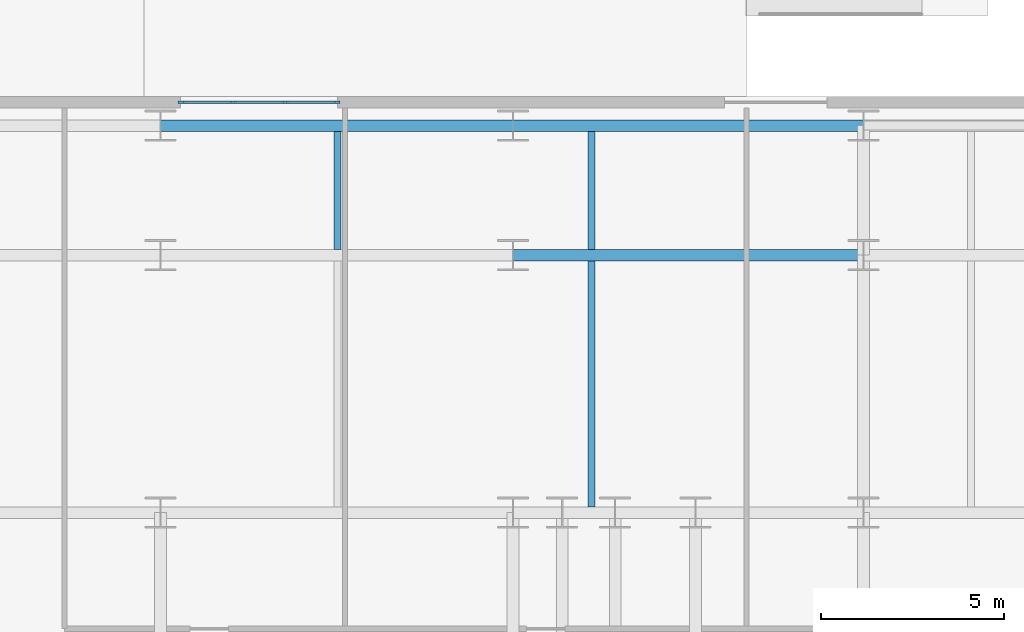
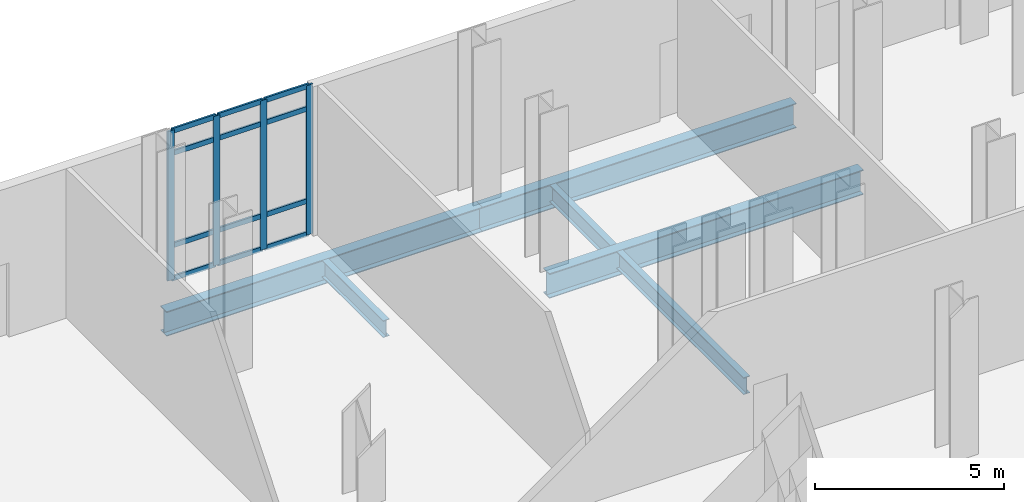
# One storey, part 8 of 21: 16 members, 6 beams, 1 element without a shape of its own.
"""IFC4 building model written with IfcOpenShell, lengths in metres."""

from ifc_helpers import new_model, si_unit, direction, frame, origin, origin_2d, place, context, subcontext, project, spatial, rectangle, i_section, extrude, material, layer, layer_set, material_profile, profile_set, type_object, element, aggregate, save


model = new_model("IFC4")

# Units and contexts
model_context = context("Model", 3, precision=1e-05, world=origin(), true_north=direction((0.0, 1.0)))
body_context = subcontext(model_context, "Body", "Model", "MODEL_VIEW")
ifc_project = project(units=[si_unit("LENGTHUNIT", "METRE"), si_unit("AREAUNIT", "SQUARE_METRE"), si_unit("VOLUMEUNIT", "CUBIC_METRE"), si_unit("PLANEANGLEUNIT", "RADIAN"), si_unit("MASSUNIT", "GRAM", prefix="KILO")], contexts=[model_context])

# Site, building, storey
site_placement = place(None, origin())
site = spatial("IfcSite", under=ifc_project, at=site_placement, CompositionType="ELEMENT")
building_placement = place(site_placement, origin())
building = spatial("IfcBuilding", under=site, at=building_placement, Name="Velakula Bourse", CompositionType="ELEMENT")
storey_placement = place(building_placement, origin())
storey = spatial("IfcBuildingStorey", under=building, at=storey_placement, Name="L00", CompositionType="ELEMENT", Elevation=0.0)

# Beams
ifc_material_1 = material(Name="Steel IS 2062 Grade 350 (E350)", Category="steel")
ifc_material_profile_1 = material_profile(ifc_material_1, i_section(OverallWidth=0.320068359375, OverallDepth=0.800048828125, WebThickness=0.01806640625, FlangeThickness=0.028076171875, at=origin_2d()), Name="Steel IS 2062 Grade 350 (E350)")
ifc_profile_set_1 = profile_set([ifc_material_profile_1], Name="Steel IS 2062 Grade 350 (E350)")
beam_type_1 = type_object("IfcBeamType", Name="BM-POD-800", PredefinedType="BEAM", material=ifc_profile_set_1)
beam_1_placement = place(storey_placement, frame((18.60009765625, 21.64990234375, -0.75), z_axis=(1.0, 0.0, 0.0), x_axis=(0.0, 1.0, 0.0)))
element("IfcBeam", 1, at=beam_1_placement, inside=storey, type_object=beam_type_1, Name="L00 Podium E-W Girder 53", PredefinedType="BEAM", context=body_context, shape_type="SweptSolid", body=[
    extrude(i_section(OverallWidth=0.320068359375, OverallDepth=0.800048828125, WebThickness=0.01806640625, FlangeThickness=0.028076171875, at=origin_2d()), origin(), (0.0, 0.0, 1.0), 9.599853515625),
])
beam_2_placement = place(storey_placement, frame((8.949951171875, 25.199951171875, -0.75), z_axis=(1.0, 0.0, 0.0), x_axis=(0.0, 1.0, 0.0)))
element("IfcBeam", 2, at=beam_2_placement, inside=storey, type_object=beam_type_1, Name="L00 Podium E-W Girder 61", PredefinedType="BEAM", context=body_context, shape_type="SweptSolid", body=[
    extrude(i_section(OverallWidth=0.320068359375, OverallDepth=0.800048828125, WebThickness=0.01806640625, FlangeThickness=0.028076171875, at=origin_2d()), origin(), (0.0, 0.0, 1.0), 9.650146484375),
])
beam_3_placement = place(storey_placement, frame((18.60009765625, 25.199951171875, -0.75), z_axis=(1.0, 0.0, 0.0), x_axis=(0.0, 1.0, 0.0)))
element("IfcBeam", 3, at=beam_3_placement, inside=storey, type_object=beam_type_1, Name="L00 Podium E-W Girder 62", PredefinedType="BEAM", context=body_context, shape_type="SweptSolid", body=[
    extrude(i_section(OverallWidth=0.320068359375, OverallDepth=0.800048828125, WebThickness=0.01806640625, FlangeThickness=0.028076171875, at=origin_2d()), origin(), (0.0, 0.0, 1.0), 9.599853515625),
])
ifc_material_profile_2 = material_profile(ifc_material_1, i_section(OverallWidth=0.18994140625, OverallDepth=0.550048828125, WebThickness=0.01123046875, FlangeThickness=0.019287109375, at=origin_2d()), Name="Steel IS 2062 Grade 350 (E350)")
ifc_profile_set_2 = profile_set([ifc_material_profile_2], Name="Steel IS 2062 Grade 350 (E350)")
beam_type_2 = type_object("IfcBeamType", Name="JST-POD-550", PredefinedType="JOIST", material=ifc_profile_set_2)
beam_4_placement = place(storey_placement, frame((13.800048828125, 21.81005859375, -0.625), z_axis=(0.0, 1.0, 0.0), x_axis=(-1.0, 0.0, 0.0)))
element("IfcBeam", 4, at=beam_4_placement, inside=storey, type_object=beam_type_2, Name="L00 Station Podium Floor Joist 24", PredefinedType="JOIST", context=body_context, shape_type="SweptSolid", body=[
    extrude(i_section(OverallWidth=0.18994140625, OverallDepth=0.550048828125, WebThickness=0.01123046875, FlangeThickness=0.019287109375, at=origin_2d()), origin(), (0.0, 0.0, 1.0), 3.22998046875),
])
beam_5_placement = place(storey_placement, frame((20.75, 14.760009765625, -0.625), z_axis=(0.0, 1.0, 0.0), x_axis=(-1.0, 0.0, 0.0)))
element("IfcBeam", 5, at=beam_5_placement, inside=storey, type_object=beam_type_2, Name="L00 Station Podium Floor Joist 27", PredefinedType="JOIST", context=body_context, shape_type="SweptSolid", body=[
    extrude(i_section(OverallWidth=0.18994140625, OverallDepth=0.550048828125, WebThickness=0.01123046875, FlangeThickness=0.019287109375, at=origin_2d()), origin(), (0.0, 0.0, 1.0), 6.72998046875),
])
beam_6_placement = place(storey_placement, frame((20.75, 21.81005859375, -0.625), z_axis=(0.0, 1.0, 0.0), x_axis=(-1.0, 0.0, 0.0)))
element("IfcBeam", 6, at=beam_6_placement, inside=storey, type_object=beam_type_2, Name="L00 Station Podium Floor Joist 28", PredefinedType="JOIST", context=body_context, shape_type="SweptSolid", body=[
    extrude(i_section(OverallWidth=0.18994140625, OverallDepth=0.550048828125, WebThickness=0.01123046875, FlangeThickness=0.019287109375, at=origin_2d()), origin(), (0.0, 0.0, 1.0), 3.22998046875),
])

# Curtain wall, members
ifc_material_2 = material(Name="Anodised bronze architectural aluminium", Category="aluminium")
ifc_layer = layer(ifc_material_2, 0.199951171875, Name="Anodised bronze architectural aluminium", Category="aluminium")
ifc_layer_set = layer_set([ifc_layer], Name="Anodised bronze architectural aluminium")
curtain_wall_type = type_object("IfcCurtainWallType", Name="CW-ST1", PredefinedType="NOTDEFINED", material=ifc_layer_set)
curtain_wall_placement = place(storey_placement, origin())
curtain_wall = element("IfcCurtainWall", 7, at=curtain_wall_placement, inside=storey, type_object=curtain_wall_type, Name="L00 North Station Galleria Curtain Wall 4", PredefinedType="NOTDEFINED")
ifc_material_profile_3 = material_profile(ifc_material_2, rectangle(XDim=0.06005859375, YDim=0.199951171875, at=origin_2d()), Name="Anodised bronze architectural aluminium")
ifc_profile_set_3 = profile_set([ifc_material_profile_3], Name="Anodised bronze architectural aluminium")
member_type_1 = type_object("IfcMemberType", Name="MUL-CW-ST1", PredefinedType="MULLION", material=ifc_profile_set_3)
member_1_placement = place(storey_placement, frame((9.530029296875, 25.840087890625, 0.0), z_axis=(0.0, 0.0, 1.0), x_axis=(0.0, 1.0, 0.0)))
member_1 = element("IfcMember", 8, at=member_1_placement, type_object=member_type_1, Name="CW-ST1 mullion 1", PredefinedType="MULLION", context=body_context, shape_type="SweptSolid", body=[
    extrude(rectangle(XDim=0.06005859375, YDim=0.199951171875, at=origin_2d()), origin(), (0.0, 0.0, 1.0), 4.830078125),
])
member_2_placement = place(storey_placement, frame((10.933349609375, 25.840087890625, 0.0), z_axis=(0.0, 0.0, 1.0), x_axis=(0.0, 1.0, 0.0)))
member_2 = element("IfcMember", 9, at=member_2_placement, type_object=member_type_1, Name="CW-ST1 mullion 2", PredefinedType="MULLION", context=body_context, shape_type="SweptSolid", body=[
    extrude(rectangle(XDim=0.06005859375, YDim=0.199951171875, at=origin_2d()), origin(), (0.0, 0.0, 1.0), 4.830078125),
])
member_3_placement = place(storey_placement, frame((12.36669921875, 25.840087890625, 0.0), z_axis=(0.0, 0.0, 1.0), x_axis=(0.0, 1.0, 0.0)))
member_3 = element("IfcMember", 10, at=member_3_placement, type_object=member_type_1, Name="CW-ST1 mullion 3", PredefinedType="MULLION", context=body_context, shape_type="SweptSolid", body=[
    extrude(rectangle(XDim=0.06005859375, YDim=0.199951171875, at=origin_2d()), origin(), (0.0, 0.0, 1.0), 4.830078125),
])
member_4_placement = place(storey_placement, frame((13.77001953125, 25.840087890625, 0.0), z_axis=(0.0, 0.0, 1.0), x_axis=(0.0, 1.0, 0.0)))
member_4 = element("IfcMember", 11, at=member_4_placement, type_object=member_type_1, Name="CW-ST1 mullion 4", PredefinedType="MULLION", context=body_context, shape_type="SweptSolid", body=[
    extrude(rectangle(XDim=0.06005859375, YDim=0.199951171875, at=origin_2d()), origin(), (0.0, 0.0, 1.0), 4.830078125),
])
ifc_material_profile_4 = material_profile(ifc_material_2, rectangle(XDim=0.06005859375, YDim=0.159912109375, at=origin_2d()), Name="Anodised bronze architectural aluminium")
ifc_profile_set_4 = profile_set([ifc_material_profile_4], Name="Anodised bronze architectural aluminium")
member_type_2 = type_object("IfcMemberType", Name="TRN-CW-ST1", PredefinedType="USERDEFINED", material=ifc_profile_set_4)
member_5_placement = place(storey_placement, frame((9.56005859375, 25.840087890625, 0.030029296875), z_axis=(1.0, 0.0, 0.0), x_axis=(0.0, 1.0, 0.0)))
member_5 = element("IfcMember", 12, at=member_5_placement, type_object=member_type_2, Name="CW-ST1 transom 1.1", ObjectType="TRANSOM", PredefinedType="USERDEFINED", context=body_context, shape_type="SweptSolid", body=[
    extrude(rectangle(XDim=0.06005859375, YDim=0.159912109375, at=origin_2d()), origin(), (0.0, 0.0, 1.0), 1.34326171875),
])
member_6_placement = place(storey_placement, frame((9.56005859375, 25.840087890625, 1.10009765625), z_axis=(1.0, 0.0, 0.0), x_axis=(0.0, 1.0, 0.0)))
member_6 = element("IfcMember", 13, at=member_6_placement, type_object=member_type_2, Name="CW-ST1 transom 1.2", ObjectType="TRANSOM", PredefinedType="USERDEFINED", context=body_context, shape_type="SweptSolid", body=[
    extrude(rectangle(XDim=0.06005859375, YDim=0.159912109375, at=origin_2d()), origin(), (0.0, 0.0, 1.0), 1.34326171875),
])
member_7_placement = place(storey_placement, frame((9.56005859375, 25.840087890625, 4.080078125), z_axis=(1.0, 0.0, 0.0), x_axis=(0.0, 1.0, 0.0)))
member_7 = element("IfcMember", 14, at=member_7_placement, type_object=member_type_2, Name="CW-ST1 transom 1.3", ObjectType="TRANSOM", PredefinedType="USERDEFINED", context=body_context, shape_type="SweptSolid", body=[
    extrude(rectangle(XDim=0.06005859375, YDim=0.159912109375, at=origin_2d()), origin(), (0.0, 0.0, 1.0), 1.34326171875),
])
member_8_placement = place(storey_placement, frame((9.56005859375, 25.840087890625, 4.800048828125), z_axis=(1.0, 0.0, 0.0), x_axis=(0.0, 1.0, 0.0)))
member_8 = element("IfcMember", 15, at=member_8_placement, type_object=member_type_2, Name="CW-ST1 transom 1.4", ObjectType="TRANSOM", PredefinedType="USERDEFINED", context=body_context, shape_type="SweptSolid", body=[
    extrude(rectangle(XDim=0.06005859375, YDim=0.159912109375, at=origin_2d()), origin(), (0.0, 0.0, 1.0), 1.34326171875),
])
member_9_placement = place(storey_placement, frame((10.96337890625, 25.840087890625, 0.030029296875), z_axis=(1.0, 0.0, 0.0), x_axis=(0.0, 1.0, 0.0)))
member_9 = element("IfcMember", 16, at=member_9_placement, type_object=member_type_2, Name="CW-ST1 transom 2.1", ObjectType="TRANSOM", PredefinedType="USERDEFINED", context=body_context, shape_type="SweptSolid", body=[
    extrude(rectangle(XDim=0.06005859375, YDim=0.159912109375, at=origin_2d()), origin(), (0.0, 0.0, 1.0), 1.373291015625),
])
member_10_placement = place(storey_placement, frame((10.96337890625, 25.840087890625, 1.10009765625), z_axis=(1.0, 0.0, 0.0), x_axis=(0.0, 1.0, 0.0)))
member_10 = element("IfcMember", 17, at=member_10_placement, type_object=member_type_2, Name="CW-ST1 transom 2.2", ObjectType="TRANSOM", PredefinedType="USERDEFINED", context=body_context, shape_type="SweptSolid", body=[
    extrude(rectangle(XDim=0.06005859375, YDim=0.159912109375, at=origin_2d()), origin(), (0.0, 0.0, 1.0), 1.373291015625),
])
member_11_placement = place(storey_placement, frame((10.96337890625, 25.840087890625, 4.080078125), z_axis=(1.0, 0.0, 0.0), x_axis=(0.0, 1.0, 0.0)))
member_11 = element("IfcMember", 18, at=member_11_placement, type_object=member_type_2, Name="CW-ST1 transom 2.3", ObjectType="TRANSOM", PredefinedType="USERDEFINED", context=body_context, shape_type="SweptSolid", body=[
    extrude(rectangle(XDim=0.06005859375, YDim=0.159912109375, at=origin_2d()), origin(), (0.0, 0.0, 1.0), 1.373291015625),
])
member_12_placement = place(storey_placement, frame((10.96337890625, 25.840087890625, 4.800048828125), z_axis=(1.0, 0.0, 0.0), x_axis=(0.0, 1.0, 0.0)))
member_12 = element("IfcMember", 19, at=member_12_placement, type_object=member_type_2, Name="CW-ST1 transom 2.4", ObjectType="TRANSOM", PredefinedType="USERDEFINED", context=body_context, shape_type="SweptSolid", body=[
    extrude(rectangle(XDim=0.06005859375, YDim=0.159912109375, at=origin_2d()), origin(), (0.0, 0.0, 1.0), 1.373291015625),
])
member_13_placement = place(storey_placement, frame((12.396728515625, 25.840087890625, 0.030029296875), z_axis=(1.0, 0.0, 0.0), x_axis=(0.0, 1.0, 0.0)))
member_13 = element("IfcMember", 20, at=member_13_placement, type_object=member_type_2, Name="CW-ST1 transom 3.1", ObjectType="TRANSOM", PredefinedType="USERDEFINED", context=body_context, shape_type="SweptSolid", body=[
    extrude(rectangle(XDim=0.06005859375, YDim=0.159912109375, at=origin_2d()), origin(), (0.0, 0.0, 1.0), 1.34326171875),
])
member_14_placement = place(storey_placement, frame((12.396728515625, 25.840087890625, 1.10009765625), z_axis=(1.0, 0.0, 0.0), x_axis=(0.0, 1.0, 0.0)))
member_14 = element("IfcMember", 21, at=member_14_placement, type_object=member_type_2, Name="CW-ST1 transom 3.2", ObjectType="TRANSOM", PredefinedType="USERDEFINED", context=body_context, shape_type="SweptSolid", body=[
    extrude(rectangle(XDim=0.06005859375, YDim=0.159912109375, at=origin_2d()), origin(), (0.0, 0.0, 1.0), 1.34326171875),
])
member_15_placement = place(storey_placement, frame((12.396728515625, 25.840087890625, 4.080078125), z_axis=(1.0, 0.0, 0.0), x_axis=(0.0, 1.0, 0.0)))
member_15 = element("IfcMember", 22, at=member_15_placement, type_object=member_type_2, Name="CW-ST1 transom 3.3", ObjectType="TRANSOM", PredefinedType="USERDEFINED", context=body_context, shape_type="SweptSolid", body=[
    extrude(rectangle(XDim=0.06005859375, YDim=0.159912109375, at=origin_2d()), origin(), (0.0, 0.0, 1.0), 1.34326171875),
])
member_16_placement = place(storey_placement, frame((12.396728515625, 25.840087890625, 4.800048828125), z_axis=(1.0, 0.0, 0.0), x_axis=(0.0, 1.0, 0.0)))
member_16 = element("IfcMember", 23, at=member_16_placement, type_object=member_type_2, Name="CW-ST1 transom 3.4", ObjectType="TRANSOM", PredefinedType="USERDEFINED", context=body_context, shape_type="SweptSolid", body=[
    extrude(rectangle(XDim=0.06005859375, YDim=0.159912109375, at=origin_2d()), origin(), (0.0, 0.0, 1.0), 1.34326171875),
])
aggregate(curtain_wall, [member_1, member_2, member_3, member_4, member_5, member_6, member_7, member_8, member_9, member_10, member_11, member_12, member_13, member_14, member_15, member_16])

save(model, "model.ifc")
